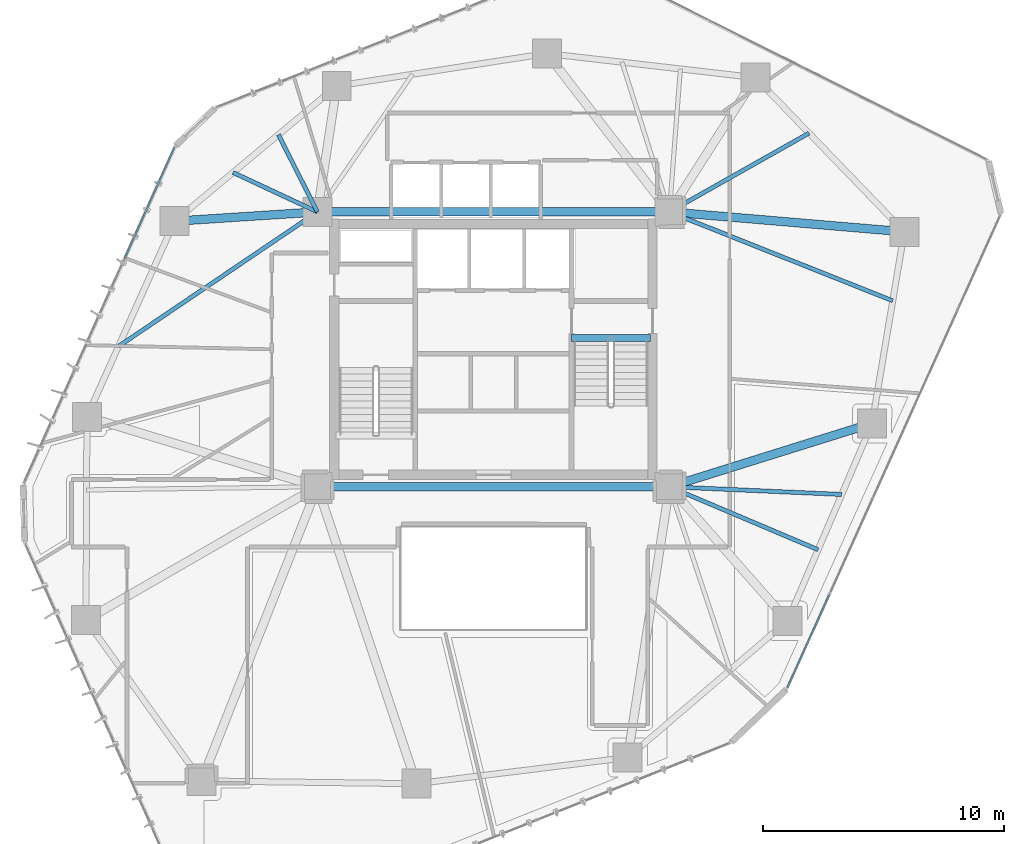
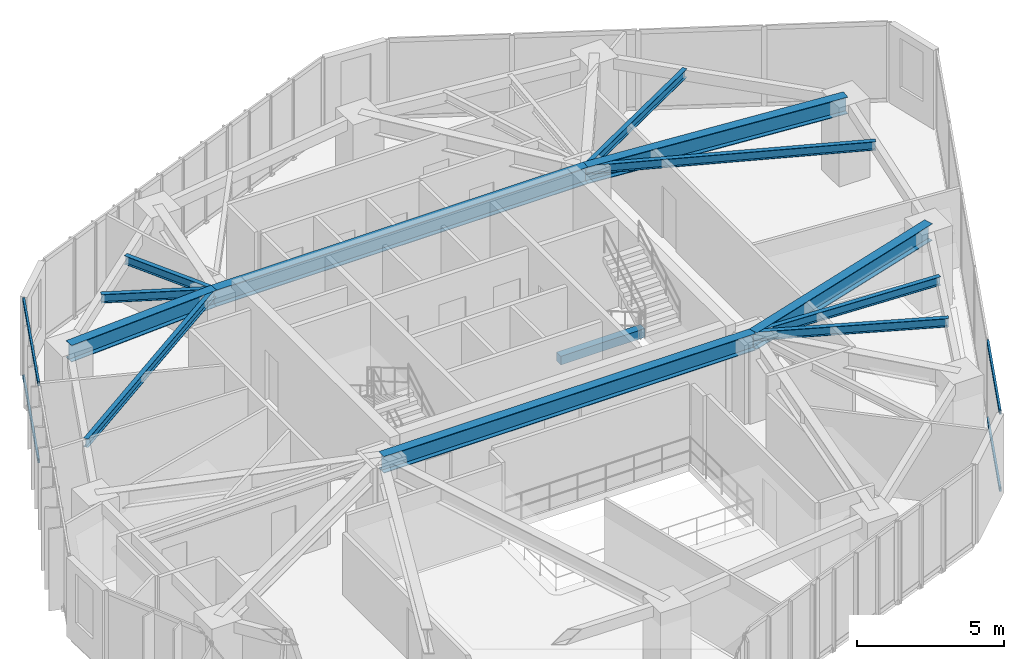
# One storey, part 9 of 22: 13 beams, 4 members, 2 elements without a shape of their own.
"""IFC4 building model written with IfcOpenShell, lengths in metres."""

from ifc_helpers import new_model, si_unit, direction, frame, origin, origin_2d, place, context, subcontext, project, spatial, rectangle, hollow_rectangle, i_section, extrude, source, transform, mapped, material, layer, layer_set, material_profile, profile_set, type_object, type_shapes, element, aggregate, save


model = new_model("IFC4")

# Units and contexts
model_context = context("Model", 3, precision=1e-05, world=origin(), true_north=direction((0.0, 1.0)))
body_context = subcontext(model_context, "Body", "Model", "MODEL_VIEW")
ifc_project = project(units=[si_unit("LENGTHUNIT", "METRE"), si_unit("AREAUNIT", "SQUARE_METRE"), si_unit("VOLUMEUNIT", "CUBIC_METRE"), si_unit("PLANEANGLEUNIT", "RADIAN"), si_unit("MASSUNIT", "GRAM", prefix="KILO")], contexts=[model_context])

# Site, building, storey
site_placement = place(None, origin())
site = spatial("IfcSite", under=ifc_project, at=site_placement, CompositionType="ELEMENT")
building_placement = place(site_placement, origin())
building = spatial("IfcBuilding", under=site, at=building_placement, Name="Talar Marvaseh", CompositionType="ELEMENT")
storey_placement = place(building_placement, frame((0.0, 0.0, 154.199951171875)))
storey = spatial("IfcBuildingStorey", under=building, at=storey_placement, Name="L40", CompositionType="ELEMENT", Elevation=154.199951171875)

# Beams
ifc_material_1 = material(Name="Concrete C40/50", Category="concrete")
ifc_material_profile_1 = material_profile(ifc_material_1, rectangle(XDim=0.300048828125, YDim=0.360107421875, at=origin_2d()), Name="RC300x360")
ifc_profile_set_1 = profile_set([ifc_material_profile_1], Name="Concrete C40/50")
beam_type_1 = type_object("IfcBeamType", Name="Concrete Stair Landing Trimmer Beam RC300x360", PredefinedType="SPANDREL", material=ifc_profile_set_1)
beam_1_placement = place(storey_placement, frame((29.219970703125, 31.669921875, -0.179931640625), z_axis=(1.0, 0.0, 0.0), x_axis=(0.0, 1.0, 0.0)))
element("IfcBeam", 1, at=beam_1_placement, inside=storey, type_object=beam_type_1, Name="L40 ST-2 Stair Nosing Trimmer Beam", PredefinedType="SPANDREL", context=body_context, shape_type="SweptSolid", body=[
    extrude(rectangle(XDim=0.300048828125, YDim=0.360107421875, at=origin_2d()), origin(), (0.0, 0.0, 1.0), 3.300048828125),
])
ifc_material_2 = material(Name="Steel S355", Category="steel")
ifc_material_profile_2 = material_profile(ifc_material_2, i_section(OverallWidth=0.35498046875, OverallDepth=0.695068359375, WebThickness=0.015380859375, FlangeThickness=0.02490234375, at=origin_2d()), Name="W690x217")
ifc_profile_set_2 = profile_set([ifc_material_profile_2], Name="Steel S355")
beam_type_2 = type_object("IfcBeamType", Name="Zone 2 Radial Floor Girder W690x217", PredefinedType="BEAM", material=ifc_profile_set_2)
for number, where, z_axis, x_axis, name in (
    (2, (18.699951171875, 25.5, 2.9326171875), (1.0, 0.0, 0.0), (0.0, 1.0, 0.0), "L40 Zone 2 Radial Floor Girder W690x217"),
    (3, (18.699951171875, 36.89990234375, 2.9326171875), (1.0, 0.0, 0.0), (0.0, 1.0, 0.0), "L40 Zone 2 Radial Floor Girder W690x217"),
):
    element("IfcBeam", number, at=place(storey_placement, frame(where, z_axis=z_axis, x_axis=x_axis)), inside=storey, type_object=beam_type_2, Name=name, PredefinedType="BEAM", context=body_context, shape_type="SweptSolid", body=[
        extrude(i_section(OverallWidth=0.35498046875, OverallDepth=0.695068359375, WebThickness=0.015380859375, FlangeThickness=0.02490234375, at=origin_2d()), origin(), (0.0, 0.0, 1.0), 14.60009765625),
    ])
beam_2_placement = place(storey_placement, frame((43.0439453125, 36.075927734375, 2.9326171875), z_axis=(-0.996443598923, 0.084262412527, 0.0), x_axis=(-0.084262412527, -0.996443598923, 0.0)))
element("IfcBeam", 4, at=beam_2_placement, inside=storey, type_object=beam_type_2, Name="L40 Zone 2 Radial Floor Girder W690x217", PredefinedType="BEAM", context=body_context, shape_type="SweptSolid", body=[
    extrude(i_section(OverallWidth=0.35498046875, OverallDepth=0.695068359375, WebThickness=0.015380859375, FlangeThickness=0.02490234375, at=origin_2d()), origin(), (0.0, 0.0, 1.0), 9.778564453125),
])
beam_3_placement = place(storey_placement, frame((41.708984375, 28.1279296875, 2.9326171875), z_axis=(-0.954475540106, -0.298289194138, 0.0), x_axis=(0.298289194138, -0.954475540106, 0.0)))
element("IfcBeam", 5, at=beam_3_placement, inside=storey, type_object=beam_type_2, Name="L40 Zone 2 Radial Floor Girder W690x217", PredefinedType="BEAM", context=body_context, shape_type="SweptSolid", body=[
    extrude(i_section(OverallWidth=0.35498046875, OverallDepth=0.695068359375, WebThickness=0.015380859375, FlangeThickness=0.02490234375, at=origin_2d()), origin(), (0.0, 0.0, 1.0), 8.81005859375),
])
beam_4_placement = place(storey_placement, frame((12.780029296875, 36.51708984375, 2.9326171875), z_axis=(0.997915745008, 0.064530348407, 0.0), x_axis=(-0.064530348407, 0.997915745008, 0.0)))
element("IfcBeam", 6, at=beam_4_placement, inside=storey, type_object=beam_type_2, Name="L40 Zone 2 Radial Floor Girder W690x217", PredefinedType="BEAM", context=body_context, shape_type="SweptSolid", body=[
    extrude(i_section(OverallWidth=0.35498046875, OverallDepth=0.695068359375, WebThickness=0.015380859375, FlangeThickness=0.02490234375, at=origin_2d()), origin(), (0.0, 0.0, 1.0), 5.932373046875),
])
ifc_material_profile_3 = material_profile(ifc_material_2, i_section(OverallWidth=0.172119140625, OverallDepth=0.35791015625, WebThickness=0.0078125, FlangeThickness=0.01318359375, at=origin_2d()), Name="W360x57")
ifc_profile_set_3 = profile_set([ifc_material_profile_3], Name="Steel S355")
beam_type_3 = type_object("IfcBeamType", Name="Zone 2 Secondary Floor Joist W360x57", PredefinedType="JOIST", material=ifc_profile_set_3)
beam_5_placement = place(storey_placement, frame((39.090087890625, 40.168701171875, 3.10107421875), z_axis=(-0.870809604029, -0.491620416105, 0.0), x_axis=(0.491620416105, -0.870809604029, 0.0)))
element("IfcBeam", 7, at=beam_5_placement, inside=storey, type_object=beam_type_3, Name="L40 Zone 2 Secondary Floor Joist W360x57", PredefinedType="JOIST", context=body_context, shape_type="SweptSolid", body=[
    extrude(i_section(OverallWidth=0.172119140625, OverallDepth=0.35791015625, WebThickness=0.0078125, FlangeThickness=0.01318359375, at=origin_2d()), origin(), (0.0, 0.0, 1.0), 6.64892578125),
])
beam_6_placement = place(storey_placement, frame((42.5634765625, 33.214599609375, 3.10107421875), z_axis=(-0.929169193082, 0.369654718119, 0.0), x_axis=(-0.369654718119, -0.929169193082, 0.0)))
element("IfcBeam", 8, at=beam_6_placement, inside=storey, type_object=beam_type_3, Name="L40 Zone 2 Secondary Floor Joist W360x57", PredefinedType="JOIST", context=body_context, shape_type="SweptSolid", body=[
    extrude(i_section(OverallWidth=0.172119140625, OverallDepth=0.35791015625, WebThickness=0.0078125, FlangeThickness=0.01318359375, at=origin_2d()), origin(), (0.0, 0.0, 1.0), 9.969482421875),
])
beam_7_placement = place(storey_placement, frame((40.447998046875, 25.1806640625, 3.10107421875), z_axis=(-0.999003555358, 0.044630666385, 0.0), x_axis=(-0.044630666385, -0.999003555358, 0.0)))
element("IfcBeam", 9, at=beam_7_placement, inside=storey, type_object=beam_type_3, Name="L40 Zone 2 Secondary Floor Joist W360x57", PredefinedType="JOIST", context=body_context, shape_type="SweptSolid", body=[
    extrude(i_section(OverallWidth=0.172119140625, OverallDepth=0.35791015625, WebThickness=0.0078125, FlangeThickness=0.01318359375, at=origin_2d()), origin(), (0.0, 0.0, 1.0), 7.155029296875),
])
beam_8_placement = place(storey_placement, frame((39.467041015625, 22.88818359375, 3.10107421875), z_axis=(-0.920822287071, 0.389982455546, 0.0), x_axis=(-0.389982455546, -0.920822287071, 0.0)))
element("IfcBeam", 10, at=beam_8_placement, inside=storey, type_object=beam_type_3, Name="L40 Zone 2 Secondary Floor Joist W360x57", PredefinedType="JOIST", context=body_context, shape_type="SweptSolid", body=[
    extrude(i_section(OverallWidth=0.172119140625, OverallDepth=0.35791015625, WebThickness=0.0078125, FlangeThickness=0.01318359375, at=origin_2d()), origin(), (0.0, 0.0, 1.0), 6.697265625),
])
beam_9_placement = place(storey_placement, frame((10.44921875, 31.323486328125, 3.10107421875), z_axis=(0.828514577653, 0.55996749425, 0.0), x_axis=(-0.55996749425, 0.828514577653, 0.0)))
element("IfcBeam", 11, at=beam_9_placement, inside=storey, type_object=beam_type_3, Name="L40 Zone 2 Secondary Floor Joist W360x57", PredefinedType="JOIST", context=body_context, shape_type="SweptSolid", body=[
    extrude(i_section(OverallWidth=0.172119140625, OverallDepth=0.35791015625, WebThickness=0.0078125, FlangeThickness=0.01318359375, at=origin_2d()), origin(), (0.0, 0.0, 1.0), 9.95849609375),
])
beam_10_placement = place(storey_placement, frame((15.19970703125, 38.53515625, 3.10107421875), z_axis=(0.906003856895, -0.423269431086, 0.0), x_axis=(0.423269431086, 0.906003856895, 0.0)))
element("IfcBeam", 12, at=beam_10_placement, inside=storey, type_object=beam_type_3, Name="L40 Zone 2 Secondary Floor Joist W360x57", PredefinedType="JOIST", context=body_context, shape_type="SweptSolid", body=[
    extrude(i_section(OverallWidth=0.172119140625, OverallDepth=0.35791015625, WebThickness=0.0078125, FlangeThickness=0.01318359375, at=origin_2d()), origin(), (0.0, 0.0, 1.0), 3.86328125),
])
beam_11_placement = place(storey_placement, frame((17.081298828125, 40.104736328125, 3.10107421875), z_axis=(0.450827436945, -0.892611125909, 0.0), x_axis=(0.892611125909, 0.450827436945, 0.0)))
element("IfcBeam", 13, at=beam_11_placement, inside=storey, type_object=beam_type_3, Name="L40 Zone 2 Secondary Floor Joist W360x57", PredefinedType="JOIST", context=body_context, shape_type="SweptSolid", body=[
    extrude(i_section(OverallWidth=0.172119140625, OverallDepth=0.35791015625, WebThickness=0.0078125, FlangeThickness=0.01318359375, at=origin_2d()), origin(), (0.0, 0.0, 1.0), 3.59033203125),
])

# Curtain wall, members
ifc_material_3 = material(Name="Architectural Aluminium", Category="aluminium")
ifc_layer = layer(ifc_material_3, 0.199951171875)
ifc_layer_set = layer_set([ifc_layer], Name="Architectural Aluminium")
curtain_wall_type = type_object("IfcCurtainWallType", Name="Unitised Acoustic Library Curtain Wall Z2", PredefinedType="NOTDEFINED", material=ifc_layer_set)
curtain_wall_1_placement = place(storey_placement, origin())
curtain_wall_1 = element("IfcCurtainWall", 14, at=curtain_wall_1_placement, inside=storey, type_object=curtain_wall_type, Name="L40 Unitised Acoustic Library Curtain Wall Z2", PredefinedType="NOTDEFINED")
ifc_material_profile_4 = material_profile(ifc_material_3, hollow_rectangle(XDim=0.074951171875, YDim=0.179931640625, WallThickness=0.0048828125, at=origin_2d()), Name="RHS180x75x5")
ifc_profile_set_4 = profile_set([ifc_material_profile_4], Name="Architectural Aluminium")
member_type = type_object("IfcMemberType", Name="Unitised Curtain Wall Transom RHS180x75x5", PredefinedType="USERDEFINED", material=ifc_profile_set_4)
shared_shape_1 = source(origin(), body_context, "Body", "SweptSolid", [
    extrude(hollow_rectangle(XDim=0.074951171875, YDim=0.179931640625, WallThickness=0.0048828125, at=origin_2d()), origin(), (0.0, 0.0, 1.0), 5.017578125),
])
member_1_placement = place(storey_placement, frame((10.713623046875, 34.987548828125, 0.03759765625), z_axis=(0.409634201123, 0.912249867783, 0.0), x_axis=(-0.912249867783, 0.409634201123, 0.0)))
member_1 = element("IfcMember", 15, at=member_1_placement, type_object=member_type, Name="CW-Z2 transom 3.1", ObjectType="TRANSOM", PredefinedType="USERDEFINED", context=body_context, shape_type="MappedRepresentation", body=[
    mapped(shared_shape_1, transform((0.0, 0.0, 0.0), x_axis=(1.0, 0.0, 0.0), y_axis=(0.0, 1.0, 0.0), z_axis=(0.0, 0.0, 1.0), scale=1.0)),
])
member_2_placement = place(storey_placement, frame((10.713623046875, 34.987548828125, 3.242431640625), z_axis=(0.409634201123, 0.912249867783, 0.0), x_axis=(-0.912249867783, 0.409634201123, 0.0)))
member_2 = element("IfcMember", 16, at=member_2_placement, type_object=member_type, Name="CW-Z2 transom 3.2", ObjectType="TRANSOM", PredefinedType="USERDEFINED", context=body_context, shape_type="MappedRepresentation", body=[
    mapped(shared_shape_1, transform((0.0, 0.0, 0.0), x_axis=(1.0, 0.0, 0.0), y_axis=(0.0, 1.0, 0.0), z_axis=(0.0, 0.0, 1.0), scale=1.0)),
])
aggregate(curtain_wall_1, [member_1, member_2])

curtain_wall_2_placement = place(storey_placement, origin())
curtain_wall_2 = element("IfcCurtainWall", 17, at=curtain_wall_2_placement, inside=storey, type_object=curtain_wall_type, Name="L40 Unitised Acoustic Library Curtain Wall Z2", PredefinedType="NOTDEFINED")
shared_shape_2 = source(origin(), body_context, "Body", "SweptSolid", [
    extrude(hollow_rectangle(XDim=0.074951171875, YDim=0.179931640625, WallThickness=0.0048828125, at=origin_2d()), origin(), (0.0, 0.0, 1.0), 4.211181640625),
])
type_shapes(member_type, [shared_shape_1, shared_shape_2])
member_3_placement = place(storey_placement, frame((39.929931640625, 21.009521484375, 0.03759765625), z_axis=(-0.410861191462, -0.911697911235, 0.0), x_axis=(0.911697911235, -0.410861191462, 0.0)))
member_3 = element("IfcMember", 18, at=member_3_placement, type_object=member_type, Name="CW-Z2 transom 5.1", ObjectType="TRANSOM", PredefinedType="USERDEFINED", context=body_context, shape_type="MappedRepresentation", body=[
    mapped(shared_shape_2, transform((0.0, 0.0, 0.0), x_axis=(1.0, 0.0, 0.0), y_axis=(0.0, 1.0, 0.0), z_axis=(0.0, 0.0, 1.0), scale=1.0)),
])
member_4_placement = place(storey_placement, frame((39.929931640625, 21.009521484375, 3.242431640625), z_axis=(-0.410861191462, -0.911697911235, 0.0), x_axis=(0.911697911235, -0.410861191462, 0.0)))
member_4 = element("IfcMember", 19, at=member_4_placement, type_object=member_type, Name="CW-Z2 transom 5.2", ObjectType="TRANSOM", PredefinedType="USERDEFINED", context=body_context, shape_type="MappedRepresentation", body=[
    mapped(shared_shape_2, transform((0.0, 0.0, 0.0), x_axis=(1.0, 0.0, 0.0), y_axis=(0.0, 1.0, 0.0), z_axis=(0.0, 0.0, 1.0), scale=1.0)),
])
aggregate(curtain_wall_2, [member_3, member_4])

save(model, "model.ifc")
